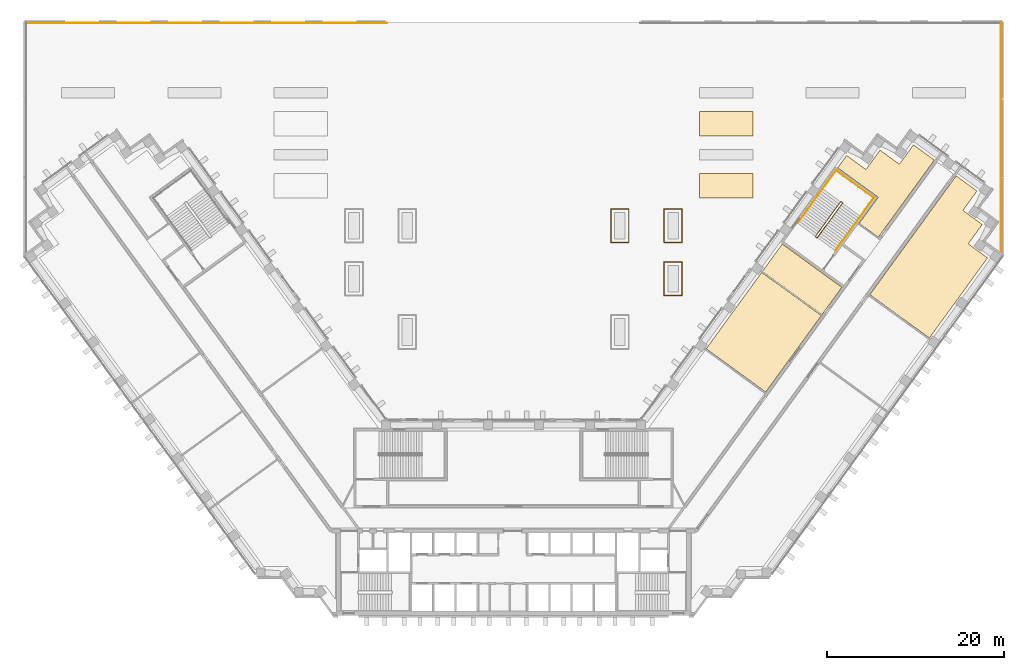
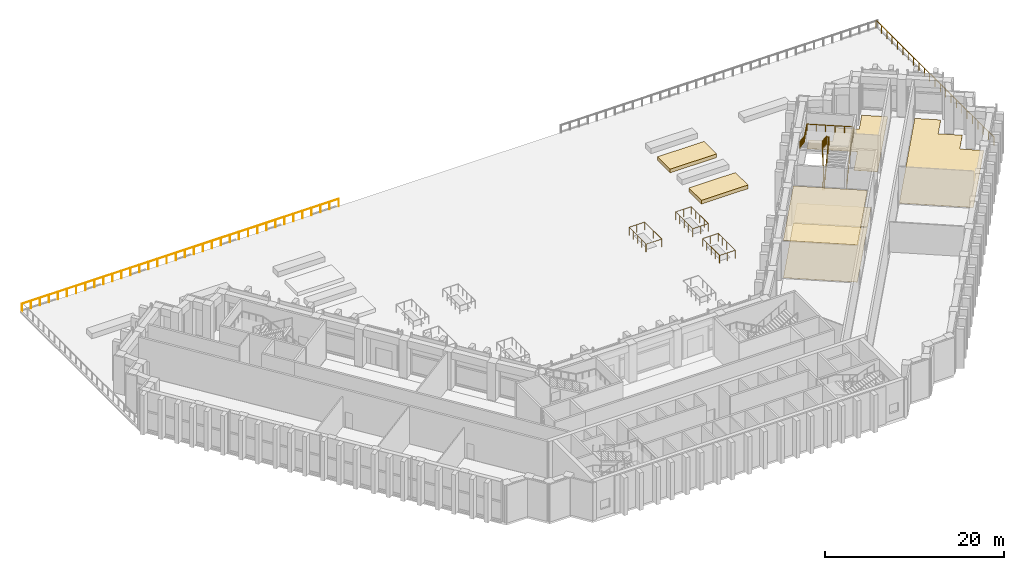
# One storey, part 24 of 25: 7 coverings, 7 railings.
"""IFC4 building model written with IfcOpenShell, lengths in metres."""

from ifc_helpers import new_model, si_unit, direction, frame, origin, origin_2d, place, context, subcontext, project, spatial, polyline, circle, outline, extrude, material, layer, layer_set, type_object, element, save


model = new_model("IFC4")

# Units and contexts
model_context = context("Model", 3, precision=1e-05, world=origin(), true_north=direction((0.0, 1.0)))
body_context = subcontext(model_context, "Body", "Model", "MODEL_VIEW")
ifc_project = project(units=[si_unit("LENGTHUNIT", "METRE"), si_unit("AREAUNIT", "SQUARE_METRE"), si_unit("VOLUMEUNIT", "CUBIC_METRE"), si_unit("PLANEANGLEUNIT", "RADIAN"), si_unit("MASSUNIT", "GRAM", prefix="KILO")], contexts=[model_context])

# Site, building, storey
site_placement = place(None, origin())
site = spatial("IfcSite", under=ifc_project, at=site_placement, CompositionType="ELEMENT")
building_placement = place(site_placement, origin())
building = spatial("IfcBuilding", under=site, at=building_placement, Name="Quipu Civic Tower", CompositionType="ELEMENT")
storey_placement = place(building_placement, frame((0.0, 0.0, 6.0)))
storey = spatial("IfcBuildingStorey", under=building, at=storey_placement, Name="L01", CompositionType="ELEMENT", Elevation=6.0)

# Coverings
ifc_material_1 = material(Name="Mineral fibre acoustic ceiling tile")
ifc_layer_1 = layer(ifc_material_1, 0.0400390625)
ifc_layer_set_1 = layer_set([ifc_layer_1], Name="Mineral fibre acoustic ceiling tile")
covering_type_1 = type_object("IfcCoveringType", Name="Acoustic ceiling tile 600 x 600", PredefinedType="CEILING", material=ifc_layer_set_1)
covering_1_placement = place(storey_placement, frame((0.0, 0.0, 5.06005859375)))
element("IfcCovering", 1, at=covering_1_placement, inside=storey, type_object=covering_type_1, Name="Acoustic ceiling tile 600 x 600", PredefinedType="CEILING", context=body_context, shape_type="SweptSolid", body=[
    extrude(outline(polyline([(21.73095703125, 19.10595703125), (27.99609375, 27.72998046875), (34.719970703125, 22.845947265625), (28.4541015625, 14.221923828125), (21.73095703125, 19.10595703125)])), origin(), (0.0, 0.0, 1.0), 0.0400390625),
])
ifc_material_2 = material(Name="Carpet tile on raised access floor")
ifc_layer_2 = layer(ifc_material_2, 0.02001953125)
ifc_layer_set_2 = layer_set([ifc_layer_2], Name="Carpet tile on raised access floor")
covering_type_2 = type_object("IfcCoveringType", Name="Carpet tile floor finish 20", PredefinedType="FLOORING", material=ifc_layer_set_2)
covering_2_placement = place(storey_placement, origin())
element("IfcCovering", 2, at=covering_2_placement, inside=storey, type_object=covering_type_2, Name="Carpet tile floor finish 20", PredefinedType="FLOORING", context=body_context, shape_type="SweptSolid", body=[
    extrude(outline(polyline([(28.0791015625, 27.843017578125), (30.31494140625, 30.922119140625), (37.0380859375, 26.0380859375), (34.802001953125, 22.958984375), (28.0791015625, 27.843017578125)])), origin(), (0.0, 0.0, 1.0), 0.02001953125),
])
covering_3_placement = place(storey_placement, origin())
element("IfcCovering", 3, at=covering_3_placement, inside=storey, type_object=covering_type_2, Name="Carpet tile floor finish 20", PredefinedType="FLOORING", context=body_context, shape_type="SweptSolid", body=[
    extrude(outline(polyline([(36.570068359375, 39.530029296875), (37.574951171875, 40.9130859375), (39.760009765625, 39.326904296875), (41.345947265625, 41.510986328125), (43.530029296875, 39.924072265625), (45.116943359375, 42.10791015625), (47.471923828125, 40.39794921875), (41.15087890625, 31.697021484375), (38.998046875, 33.260009765625), (41.139892578125, 36.208984375), (36.570068359375, 39.530029296875)])), origin(), (0.0, 0.0, 1.0), 0.02001953125),
])
covering_4_placement = place(storey_placement, origin())
element("IfcCovering", 4, at=covering_4_placement, inside=storey, type_object=covering_type_2, Name="Carpet tile floor finish 20", PredefinedType="FLOORING", context=body_context, shape_type="SweptSolid", body=[
    extrude(outline(polyline([(21.73095703125, 19.10595703125), (27.99609375, 27.72998046875), (34.719970703125, 22.845947265625), (28.4541015625, 14.221923828125), (21.73095703125, 19.10595703125)])), origin(), (0.0, 0.0, 1.0), 0.02001953125),
])
covering_5_placement = place(storey_placement, origin())
element("IfcCovering", 5, at=covering_5_placement, inside=storey, type_object=covering_type_2, Name="Carpet tile floor finish 20", PredefinedType="FLOORING", context=body_context, shape_type="SweptSolid", body=[
    extrude(outline(polyline([(40.195068359375, 25.208984375), (49.930908203125, 38.611083984375), (52.284912109375, 36.90087890625), (50.698974609375, 34.717041015625), (52.883056640625, 33.12890625), (51.297119140625, 30.945068359375), (53.47998046875, 29.35791015625), (46.91796875, 20.324951171875), (40.195068359375, 25.208984375)])), origin(), (0.0, 0.0, 1.0), 0.02001953125),
])

# Railings
ifc_material_3 = material(Name="Steel S275", Category="steel")
railing_type_1 = type_object("IfcRailingType", Name="Deck balustrade G2", PredefinedType="BALUSTRADE", material=ifc_material_3)
railing_1_placement = place(storey_placement, frame((54.994384765625, 29.742431640625, 0.0)))
element("IfcRailing", 6, at=railing_1_placement, inside=storey, type_object=railing_type_1, Name="Deck balustrade 1", PredefinedType="BALUSTRADE", context=body_context, shape_type="SweptSolid", body=[
    extrude(circle(Radius=0.02490234375, at=origin_2d()), frame((0.0, 0.0, 1.0751953125), z_axis=(0.0, 1.0, 0.0), x_axis=(-1.0, 0.0, 0.0)), (0.0, 0.0, 1.0), 26.257568359375),
    extrude(circle(Radius=0.02490234375, at=origin_2d()), origin(), (0.0, 0.0, 1.0), 1.050048828125),
    extrude(circle(Radius=0.02490234375, at=origin_2d()), frame((0.0, 1.193603515625, 0.0)), (0.0, 0.0, 1.0), 1.050048828125),
    extrude(circle(Radius=0.02490234375, at=origin_2d()), frame((0.0, 2.386962890625, 0.0)), (0.0, 0.0, 1.0), 1.050048828125),
    extrude(circle(Radius=0.02490234375, at=origin_2d()), frame((0.0, 3.58056640625, 0.0)), (0.0, 0.0, 1.0), 1.050048828125),
    extrude(circle(Radius=0.02490234375, at=origin_2d()), frame((0.0, 4.774169921875, 0.0)), (0.0, 0.0, 1.0), 1.050048828125),
    extrude(circle(Radius=0.02490234375, at=origin_2d()), frame((0.0, 5.967529296875, 0.0)), (0.0, 0.0, 1.0), 1.050048828125),
    extrude(circle(Radius=0.02490234375, at=origin_2d()), frame((0.0, 7.1611328125, 0.0)), (0.0, 0.0, 1.0), 1.050048828125),
    extrude(circle(Radius=0.02490234375, at=origin_2d()), frame((0.0, 8.354736328125, 0.0)), (0.0, 0.0, 1.0), 1.050048828125),
    extrude(circle(Radius=0.02490234375, at=origin_2d()), frame((0.0, 9.548095703125, 0.0)), (0.0, 0.0, 1.0), 1.050048828125),
    extrude(circle(Radius=0.02490234375, at=origin_2d()), frame((0.0, 10.74169921875, 0.0)), (0.0, 0.0, 1.0), 1.050048828125),
    extrude(circle(Radius=0.02490234375, at=origin_2d()), frame((0.0, 11.935302734375, 0.0)), (0.0, 0.0, 1.0), 1.050048828125),
    extrude(circle(Radius=0.02490234375, at=origin_2d()), frame((0.0, 13.12890625, 0.0)), (0.0, 0.0, 1.0), 1.050048828125),
    extrude(circle(Radius=0.02490234375, at=origin_2d()), frame((0.0, 14.322265625, 0.0)), (0.0, 0.0, 1.0), 1.050048828125),
    extrude(circle(Radius=0.02490234375, at=origin_2d()), frame((0.0, 15.515869140625, 0.0)), (0.0, 0.0, 1.0), 1.050048828125),
    extrude(circle(Radius=0.02490234375, at=origin_2d()), frame((0.0, 16.70947265625, 0.0)), (0.0, 0.0, 1.0), 1.050048828125),
    extrude(circle(Radius=0.02490234375, at=origin_2d()), frame((0.0, 17.90283203125, 0.0)), (0.0, 0.0, 1.0), 1.050048828125),
    extrude(circle(Radius=0.02490234375, at=origin_2d()), frame((0.0, 19.096435546875, 0.0)), (0.0, 0.0, 1.0), 1.050048828125),
    extrude(circle(Radius=0.02490234375, at=origin_2d()), frame((0.0, 20.2900390625, 0.0)), (0.0, 0.0, 1.0), 1.050048828125),
    extrude(circle(Radius=0.02490234375, at=origin_2d()), frame((0.0, 21.4833984375, 0.0)), (0.0, 0.0, 1.0), 1.050048828125),
    extrude(circle(Radius=0.02490234375, at=origin_2d()), frame((0.0, 22.677001953125, 0.0)), (0.0, 0.0, 1.0), 1.050048828125),
    extrude(circle(Radius=0.02490234375, at=origin_2d()), frame((0.0, 23.87060546875, 0.0)), (0.0, 0.0, 1.0), 1.050048828125),
    extrude(circle(Radius=0.02490234375, at=origin_2d()), frame((0.0, 25.06396484375, 0.0)), (0.0, 0.0, 1.0), 1.050048828125),
    extrude(circle(Radius=0.02490234375, at=origin_2d()), frame((0.0, 26.257568359375, 0.0)), (0.0, 0.0, 1.0), 1.050048828125),
])
railing_2_placement = place(storey_placement, frame((-14.300048828125, 55.8798828125, 0.0)))
element("IfcRailing", 7, at=railing_2_placement, inside=storey, type_object=railing_type_1, Name="Deck balustrade 3", PredefinedType="BALUSTRADE", context=body_context, shape_type="SweptSolid", body=[
    extrude(circle(Radius=0.02490234375, at=origin_2d()), frame((0.0, 0.0, 1.0751953125), z_axis=(-1.0, 0.0, 0.0), x_axis=(0.0, -1.0, 0.0)), (0.0, 0.0, 1.0), 40.814453125),
    extrude(circle(Radius=0.02490234375, at=origin_2d()), origin(), (0.0, 0.0, 1.0), 1.050048828125),
    extrude(circle(Radius=0.02490234375, at=origin_2d()), frame((-1.166015625, 0.0, 0.0)), (0.0, 0.0, 1.0), 1.050048828125),
    extrude(circle(Radius=0.02490234375, at=origin_2d()), frame((-2.332275390625, 0.0, 0.0)), (0.0, 0.0, 1.0), 1.050048828125),
    extrude(circle(Radius=0.02490234375, at=origin_2d()), frame((-3.498291015625, 0.0, 0.0)), (0.0, 0.0, 1.0), 1.050048828125),
    extrude(circle(Radius=0.02490234375, at=origin_2d()), frame((-4.66455078125, 0.0, 0.0)), (0.0, 0.0, 1.0), 1.050048828125),
    extrude(circle(Radius=0.02490234375, at=origin_2d()), frame((-5.83056640625, 0.0, 0.0)), (0.0, 0.0, 1.0), 1.050048828125),
    extrude(circle(Radius=0.02490234375, at=origin_2d()), frame((-6.996826171875, 0.0, 0.0)), (0.0, 0.0, 1.0), 1.050048828125),
    extrude(circle(Radius=0.02490234375, at=origin_2d()), frame((-8.162841796875, 0.0, 0.0)), (0.0, 0.0, 1.0), 1.050048828125),
    extrude(circle(Radius=0.02490234375, at=origin_2d()), frame((-9.3291015625, 0.0, 0.0)), (0.0, 0.0, 1.0), 1.050048828125),
    extrude(circle(Radius=0.02490234375, at=origin_2d()), frame((-10.4951171875, 0.0, 0.0)), (0.0, 0.0, 1.0), 1.050048828125),
    extrude(circle(Radius=0.02490234375, at=origin_2d()), frame((-11.661376953125, 0.0, 0.0)), (0.0, 0.0, 1.0), 1.050048828125),
    extrude(circle(Radius=0.02490234375, at=origin_2d()), frame((-12.827392578125, 0.0, 0.0)), (0.0, 0.0, 1.0), 1.050048828125),
    extrude(circle(Radius=0.02490234375, at=origin_2d()), frame((-13.993408203125, 0.0, 0.0)), (0.0, 0.0, 1.0), 1.050048828125),
    extrude(circle(Radius=0.02490234375, at=origin_2d()), frame((-15.15966796875, 0.0, 0.0)), (0.0, 0.0, 1.0), 1.050048828125),
    extrude(circle(Radius=0.02490234375, at=origin_2d()), frame((-16.32568359375, 0.0, 0.0)), (0.0, 0.0, 1.0), 1.050048828125),
    extrude(circle(Radius=0.02490234375, at=origin_2d()), frame((-17.491943359375, 0.0, 0.0)), (0.0, 0.0, 1.0), 1.050048828125),
    extrude(circle(Radius=0.02490234375, at=origin_2d()), frame((-18.657958984375, 0.0, 0.0)), (0.0, 0.0, 1.0), 1.050048828125),
    extrude(circle(Radius=0.02490234375, at=origin_2d()), frame((-19.82421875, 0.0, 0.0)), (0.0, 0.0, 1.0), 1.050048828125),
    extrude(circle(Radius=0.02490234375, at=origin_2d()), frame((-20.990234375, 0.0, 0.0)), (0.0, 0.0, 1.0), 1.050048828125),
    extrude(circle(Radius=0.02490234375, at=origin_2d()), frame((-22.156494140625, 0.0, 0.0)), (0.0, 0.0, 1.0), 1.050048828125),
    extrude(circle(Radius=0.02490234375, at=origin_2d()), frame((-23.322509765625, 0.0, 0.0)), (0.0, 0.0, 1.0), 1.050048828125),
    extrude(circle(Radius=0.02490234375, at=origin_2d()), frame((-24.48876953125, 0.0, 0.0)), (0.0, 0.0, 1.0), 1.050048828125),
    extrude(circle(Radius=0.02490234375, at=origin_2d()), frame((-25.65478515625, 0.0, 0.0)), (0.0, 0.0, 1.0), 1.050048828125),
    extrude(circle(Radius=0.02490234375, at=origin_2d()), frame((-26.821044921875, 0.0, 0.0)), (0.0, 0.0, 1.0), 1.050048828125),
    extrude(circle(Radius=0.02490234375, at=origin_2d()), frame((-27.987060546875, 0.0, 0.0)), (0.0, 0.0, 1.0), 1.050048828125),
    extrude(circle(Radius=0.02490234375, at=origin_2d()), frame((-29.153076171875, 0.0, 0.0)), (0.0, 0.0, 1.0), 1.050048828125),
    extrude(circle(Radius=0.02490234375, at=origin_2d()), frame((-30.3193359375, 0.0, 0.0)), (0.0, 0.0, 1.0), 1.050048828125),
    extrude(circle(Radius=0.02490234375, at=origin_2d()), frame((-31.4853515625, 0.0, 0.0)), (0.0, 0.0, 1.0), 1.050048828125),
    extrude(circle(Radius=0.02490234375, at=origin_2d()), frame((-32.651611328125, 0.0, 0.0)), (0.0, 0.0, 1.0), 1.050048828125),
    extrude(circle(Radius=0.02490234375, at=origin_2d()), frame((-33.817626953125, 0.0, 0.0)), (0.0, 0.0, 1.0), 1.050048828125),
    extrude(circle(Radius=0.02490234375, at=origin_2d()), frame((-34.98388671875, 0.0, 0.0)), (0.0, 0.0, 1.0), 1.050048828125),
    extrude(circle(Radius=0.02490234375, at=origin_2d()), frame((-36.14990234375, 0.0, 0.0)), (0.0, 0.0, 1.0), 1.050048828125),
    extrude(circle(Radius=0.02490234375, at=origin_2d()), frame((-37.316162109375, 0.0, 0.0)), (0.0, 0.0, 1.0), 1.050048828125),
    extrude(circle(Radius=0.02490234375, at=origin_2d()), frame((-38.482177734375, 0.0, 0.0)), (0.0, 0.0, 1.0), 1.050048828125),
    extrude(circle(Radius=0.02490234375, at=origin_2d()), frame((-39.6484375, 0.0, 0.0)), (0.0, 0.0, 1.0), 1.050048828125),
    extrude(circle(Radius=0.02490234375, at=origin_2d()), frame((-40.814453125, 0.0, 0.0)), (0.0, 0.0, 1.0), 1.050048828125),
])
railing_3_placement = place(storey_placement, frame((17.0, 25.10009765625, 0.0)))
element("IfcRailing", 8, at=railing_3_placement, inside=storey, type_object=railing_type_1, Name="Rooflight guard 4", PredefinedType="BALUSTRADE", context=body_context, shape_type="SweptSolid", body=[
    extrude(circle(Radius=0.02490234375, at=origin_2d()), frame((0.0, 0.0, 1.0751953125), z_axis=(1.0, 0.0, 0.0), x_axis=(0.0, 1.0, 0.0)), (0.0, 0.0, 1.0), 2.0),
    extrude(circle(Radius=0.02490234375, at=origin_2d()), frame((2.0, 0.0, 1.0751953125), z_axis=(0.0, 1.0, 0.0), x_axis=(-1.0, 0.0, 0.0)), (0.0, 0.0, 1.0), 3.7998046875),
    extrude(circle(Radius=0.02490234375, at=origin_2d()), frame((2.0, 3.7998046875, 1.0751953125), z_axis=(-1.0, 0.0, 0.0), x_axis=(0.0, -1.0, 0.0)), (0.0, 0.0, 1.0), 2.0),
    extrude(circle(Radius=0.02490234375, at=origin_2d()), frame((0.0, 3.7998046875, 1.0751953125), z_axis=(0.0, -1.0, 0.0), x_axis=(1.0, 0.0, 0.0)), (0.0, 0.0, 1.0), 3.72998046875),
    extrude(circle(Radius=0.02490234375, at=origin_2d()), origin(), (0.0, 0.0, 1.0), 1.050048828125),
    extrude(circle(Radius=0.02490234375, at=origin_2d()), frame((1.0, 0.0, 0.0)), (0.0, 0.0, 1.0), 1.050048828125),
    extrude(circle(Radius=0.02490234375, at=origin_2d()), frame((2.0, 0.0, 0.0)), (0.0, 0.0, 1.0), 1.050048828125),
    extrude(circle(Radius=0.02490234375, at=origin_2d()), frame((2.0, 0.949951171875, 0.0)), (0.0, 0.0, 1.0), 1.050048828125),
    extrude(circle(Radius=0.02490234375, at=origin_2d()), frame((2.0, 1.89990234375, 0.0)), (0.0, 0.0, 1.0), 1.050048828125),
    extrude(circle(Radius=0.02490234375, at=origin_2d()), frame((2.0, 2.849853515625, 0.0)), (0.0, 0.0, 1.0), 1.050048828125),
    extrude(circle(Radius=0.02490234375, at=origin_2d()), frame((2.0, 3.7998046875, 0.0)), (0.0, 0.0, 1.0), 1.050048828125),
    extrude(circle(Radius=0.02490234375, at=origin_2d()), frame((1.0, 3.7998046875, 0.0)), (0.0, 0.0, 1.0), 1.050048828125),
    extrude(circle(Radius=0.02490234375, at=origin_2d()), frame((0.0, 3.7998046875, 0.0)), (0.0, 0.0, 1.0), 1.050048828125),
    extrude(circle(Radius=0.02490234375, at=origin_2d()), frame((0.0, 2.8671875, 0.0)), (0.0, 0.0, 1.0), 1.050048828125),
    extrude(circle(Radius=0.02490234375, at=origin_2d()), frame((0.0, 1.934814453125, 0.0)), (0.0, 0.0, 1.0), 1.050048828125),
    extrude(circle(Radius=0.02490234375, at=origin_2d()), frame((0.0, 1.00244140625, 0.0)), (0.0, 0.0, 1.0), 1.050048828125),
    extrude(circle(Radius=0.02490234375, at=origin_2d()), frame((0.0, 0.06982421875, 0.0)), (0.0, 0.0, 1.0), 1.050048828125),
])
railing_4_placement = place(storey_placement, frame((11.0, 31.10009765625, 0.0)))
element("IfcRailing", 9, at=railing_4_placement, inside=storey, type_object=railing_type_1, Name="Rooflight guard 7", PredefinedType="BALUSTRADE", context=body_context, shape_type="SweptSolid", body=[
    extrude(circle(Radius=0.02490234375, at=origin_2d()), frame((0.0, 0.0, 1.0751953125), z_axis=(1.0, 0.0, 0.0), x_axis=(0.0, 1.0, 0.0)), (0.0, 0.0, 1.0), 2.0),
    extrude(circle(Radius=0.02490234375, at=origin_2d()), frame((2.0, 0.0, 1.0751953125), z_axis=(0.0, 1.0, 0.0), x_axis=(-1.0, 0.0, 0.0)), (0.0, 0.0, 1.0), 3.7998046875),
    extrude(circle(Radius=0.02490234375, at=origin_2d()), frame((2.0, 3.7998046875, 1.0751953125), z_axis=(-1.0, 0.0, 0.0), x_axis=(0.0, -1.0, 0.0)), (0.0, 0.0, 1.0), 2.0),
    extrude(circle(Radius=0.02490234375, at=origin_2d()), frame((0.0, 3.7998046875, 1.0751953125), z_axis=(0.0, -1.0, 0.0), x_axis=(1.0, 0.0, 0.0)), (0.0, 0.0, 1.0), 3.72998046875),
    extrude(circle(Radius=0.02490234375, at=origin_2d()), origin(), (0.0, 0.0, 1.0), 1.050048828125),
    extrude(circle(Radius=0.02490234375, at=origin_2d()), frame((1.0, 0.0, 0.0)), (0.0, 0.0, 1.0), 1.050048828125),
    extrude(circle(Radius=0.02490234375, at=origin_2d()), frame((2.0, 0.0, 0.0)), (0.0, 0.0, 1.0), 1.050048828125),
    extrude(circle(Radius=0.02490234375, at=origin_2d()), frame((2.0, 0.949951171875, 0.0)), (0.0, 0.0, 1.0), 1.050048828125),
    extrude(circle(Radius=0.02490234375, at=origin_2d()), frame((2.0, 1.89990234375, 0.0)), (0.0, 0.0, 1.0), 1.050048828125),
    extrude(circle(Radius=0.02490234375, at=origin_2d()), frame((2.0, 2.849853515625, 0.0)), (0.0, 0.0, 1.0), 1.050048828125),
    extrude(circle(Radius=0.02490234375, at=origin_2d()), frame((2.0, 3.7998046875, 0.0)), (0.0, 0.0, 1.0), 1.050048828125),
    extrude(circle(Radius=0.02490234375, at=origin_2d()), frame((1.0, 3.7998046875, 0.0)), (0.0, 0.0, 1.0), 1.050048828125),
    extrude(circle(Radius=0.02490234375, at=origin_2d()), frame((0.0, 3.7998046875, 0.0)), (0.0, 0.0, 1.0), 1.050048828125),
    extrude(circle(Radius=0.02490234375, at=origin_2d()), frame((0.0, 2.8671875, 0.0)), (0.0, 0.0, 1.0), 1.050048828125),
    extrude(circle(Radius=0.02490234375, at=origin_2d()), frame((0.0, 1.934814453125, 0.0)), (0.0, 0.0, 1.0), 1.050048828125),
    extrude(circle(Radius=0.02490234375, at=origin_2d()), frame((0.0, 1.00244140625, 0.0)), (0.0, 0.0, 1.0), 1.050048828125),
    extrude(circle(Radius=0.02490234375, at=origin_2d()), frame((0.0, 0.06982421875, 0.0)), (0.0, 0.0, 1.0), 1.050048828125),
])
railing_5_placement = place(storey_placement, frame((17.0, 31.10009765625, 0.0)))
element("IfcRailing", 10, at=railing_5_placement, inside=storey, type_object=railing_type_1, Name="Rooflight guard 8", PredefinedType="BALUSTRADE", context=body_context, shape_type="SweptSolid", body=[
    extrude(circle(Radius=0.02490234375, at=origin_2d()), frame((0.0, 0.0, 1.0751953125), z_axis=(1.0, 0.0, 0.0), x_axis=(0.0, 1.0, 0.0)), (0.0, 0.0, 1.0), 2.0),
    extrude(circle(Radius=0.02490234375, at=origin_2d()), frame((2.0, 0.0, 1.0751953125), z_axis=(0.0, 1.0, 0.0), x_axis=(-1.0, 0.0, 0.0)), (0.0, 0.0, 1.0), 3.7998046875),
    extrude(circle(Radius=0.02490234375, at=origin_2d()), frame((2.0, 3.7998046875, 1.0751953125), z_axis=(-1.0, 0.0, 0.0), x_axis=(0.0, -1.0, 0.0)), (0.0, 0.0, 1.0), 2.0),
    extrude(circle(Radius=0.02490234375, at=origin_2d()), frame((0.0, 3.7998046875, 1.0751953125), z_axis=(0.0, -1.0, 0.0), x_axis=(1.0, 0.0, 0.0)), (0.0, 0.0, 1.0), 3.72998046875),
    extrude(circle(Radius=0.02490234375, at=origin_2d()), origin(), (0.0, 0.0, 1.0), 1.050048828125),
    extrude(circle(Radius=0.02490234375, at=origin_2d()), frame((1.0, 0.0, 0.0)), (0.0, 0.0, 1.0), 1.050048828125),
    extrude(circle(Radius=0.02490234375, at=origin_2d()), frame((2.0, 0.0, 0.0)), (0.0, 0.0, 1.0), 1.050048828125),
    extrude(circle(Radius=0.02490234375, at=origin_2d()), frame((2.0, 0.949951171875, 0.0)), (0.0, 0.0, 1.0), 1.050048828125),
    extrude(circle(Radius=0.02490234375, at=origin_2d()), frame((2.0, 1.89990234375, 0.0)), (0.0, 0.0, 1.0), 1.050048828125),
    extrude(circle(Radius=0.02490234375, at=origin_2d()), frame((2.0, 2.849853515625, 0.0)), (0.0, 0.0, 1.0), 1.050048828125),
    extrude(circle(Radius=0.02490234375, at=origin_2d()), frame((2.0, 3.7998046875, 0.0)), (0.0, 0.0, 1.0), 1.050048828125),
    extrude(circle(Radius=0.02490234375, at=origin_2d()), frame((1.0, 3.7998046875, 0.0)), (0.0, 0.0, 1.0), 1.050048828125),
    extrude(circle(Radius=0.02490234375, at=origin_2d()), frame((0.0, 3.7998046875, 0.0)), (0.0, 0.0, 1.0), 1.050048828125),
    extrude(circle(Radius=0.02490234375, at=origin_2d()), frame((0.0, 2.8671875, 0.0)), (0.0, 0.0, 1.0), 1.050048828125),
    extrude(circle(Radius=0.02490234375, at=origin_2d()), frame((0.0, 1.934814453125, 0.0)), (0.0, 0.0, 1.0), 1.050048828125),
    extrude(circle(Radius=0.02490234375, at=origin_2d()), frame((0.0, 1.00244140625, 0.0)), (0.0, 0.0, 1.0), 1.050048828125),
    extrude(circle(Radius=0.02490234375, at=origin_2d()), frame((0.0, 0.06982421875, 0.0)), (0.0, 0.0, 1.0), 1.050048828125),
])

# Coverings
ifc_material_4 = material(Name="Planting soil on drainage board")
ifc_layer_3 = layer(ifc_material_4, 0.5)
ifc_layer_set_3 = layer_set([ifc_layer_3], Name="Planting soil on drainage board")
covering_type_3 = type_object("IfcCoveringType", Name="Planted deck bed build-up", PredefinedType="FLOORING", material=ifc_layer_set_3)
covering_6_placement = place(storey_placement, origin())
element("IfcCovering", 11, at=covering_6_placement, inside=storey, type_object=covering_type_3, Name="Garden bed 3", PredefinedType="FLOORING", context=body_context, shape_type="SweptSolid", body=[
    extrude(outline(polyline([(21.0, 38.89990234375), (27.0, 38.89990234375), (27.0, 36.10009765625), (21.0, 36.10009765625), (21.0, 38.89990234375)])), origin(), (0.0, 0.0, 1.0), 0.5),
])
covering_7_placement = place(storey_placement, origin())
element("IfcCovering", 12, at=covering_7_placement, inside=storey, type_object=covering_type_3, Name="Garden bed 4", PredefinedType="FLOORING", context=body_context, shape_type="SweptSolid", body=[
    extrude(outline(polyline([(21.0, 45.89990234375), (27.0, 45.89990234375), (27.0, 43.10009765625), (21.0, 43.10009765625), (21.0, 45.89990234375)])), origin(), (0.0, 0.0, 1.0), 0.5),
])

# Railings
ifc_material_5 = material(Name="Stainless steel", Category="steel")
railing_type_2 = type_object("IfcRailingType", Name="Stair guard 1100", PredefinedType="GUARDRAIL", material=ifc_material_5)
railing_6_placement = place(storey_placement, frame((34.28125, 31.650390625, 0.161865234375)))
element("IfcRailing", 13, at=railing_6_placement, inside=storey, type_object=railing_type_2, Name="Stair 7 guard", PredefinedType="GUARDRAIL", context=body_context, shape_type="SweptSolid", body=[
    extrude(circle(Radius=0.02392578125, at=origin_2d()), frame((0.0, 0.0, 1.076171875), z_axis=(0.517357435691, 0.712105172387, 0.474602472807), x_axis=(-0.809026317077, 0.587772420479, 0.0)), (0.0, 0.0, 1.0), 5.453369140625),
    extrude(circle(Radius=0.02392578125, at=origin_2d()), frame((2.8212890625, 3.88330078125, 3.6640625), z_axis=(-0.155430446612, 0.987846838465, 0.0), x_axis=(-0.987846838465, -0.155430446612, 0.0)), (0.0, 0.0, 1.0), 0.07080078125),
    extrude(circle(Radius=0.02392578125, at=origin_2d()), frame((2.810302734375, 3.953125, 3.6640625), z_axis=(-0.809649071907, 0.586914287065, 0.0), x_axis=(-0.586914287065, -0.809649071907, 0.0)), (0.0, 0.0, 1.0), 0.150146484375),
    extrude(circle(Radius=0.02392578125, at=origin_2d()), frame((2.688720703125, 4.041259765625, 3.6640625), z_axis=(-0.395324129048, -0.062201348976, 0.916433208247), x_axis=(0.155430446612, -0.987846838465, 0.0)), (0.0, 0.0, 1.0), 0.176513671875),
    extrude(circle(Radius=0.02392578125, at=origin_2d()), frame((2.618896484375, 4.0302734375, 3.826171875), z_axis=(-0.517357435691, -0.712105172387, 0.474602472807), x_axis=(0.809026317077, -0.587772420479, 0.0)), (0.0, 0.0, 1.0), 5.453369140625),
    extrude(circle(Radius=0.02392578125, at=origin_2d()), frame((-0.202392578125, 0.14697265625, 6.4140625), z_axis=(0.024042081317, -0.028699680096, -0.999298907579), x_axis=(0.766567769536, 0.642163417448, 0.0)), (0.0, 0.0, 1.0), 5.50390625),
    extrude(circle(Radius=0.02392578125, at=origin_2d()), frame((-0.070068359375, -0.010986328125, 0.9140625), z_axis=(-0.809087927272, 0.587687609145, 0.0), x_axis=(-0.587687609145, -0.809087927272, 0.0)), (0.0, 0.0, 1.0), 0.14990234375),
    extrude(circle(Radius=0.02099609375, at=origin_2d()), origin(), (0.0, 0.0, 1.0), 1.052001953125),
    extrude(circle(Radius=0.02099609375, at=origin_2d()), frame((0.564208984375, 0.776611328125, 0.517578125)), (0.0, 0.0, 1.0), 1.052001953125),
    extrude(circle(Radius=0.02099609375, at=origin_2d()), frame((1.12841796875, 1.55322265625, 1.03515625)), (0.0, 0.0, 1.0), 1.052001953125),
    extrude(circle(Radius=0.02099609375, at=origin_2d()), frame((1.69287109375, 2.330078125, 1.552978515625)), (0.0, 0.0, 1.0), 1.052001953125),
    extrude(circle(Radius=0.02099609375, at=origin_2d()), frame((2.257080078125, 3.106689453125, 2.070556640625)), (0.0, 0.0, 1.0), 1.052001953125),
    extrude(circle(Radius=0.02099609375, at=origin_2d()), frame((2.8212890625, 3.88330078125, 2.588134765625)), (0.0, 0.0, 1.0), 1.052001953125),
    extrude(circle(Radius=0.02099609375, at=origin_2d()), frame((2.810302734375, 3.953125, 2.588134765625)), (0.0, 0.0, 1.0), 1.052001953125),
    extrude(circle(Radius=0.02099609375, at=origin_2d()), frame((2.688720703125, 4.041259765625, 2.588134765625)), (0.0, 0.0, 1.0), 1.052001953125),
    extrude(circle(Radius=0.02099609375, at=origin_2d()), frame((2.618896484375, 4.0302734375, 2.75)), (0.0, 0.0, 1.0), 1.052001953125),
    extrude(circle(Radius=0.02099609375, at=origin_2d()), frame((2.0546875, 3.253662109375, 3.267578125)), (0.0, 0.0, 1.0), 1.052001953125),
    extrude(circle(Radius=0.02099609375, at=origin_2d()), frame((1.490478515625, 2.47705078125, 3.78515625)), (0.0, 0.0, 1.0), 1.052001953125),
    extrude(circle(Radius=0.02099609375, at=origin_2d()), frame((0.926025390625, 1.7001953125, 4.302978515625)), (0.0, 0.0, 1.0), 1.052001953125),
    extrude(circle(Radius=0.02099609375, at=origin_2d()), frame((0.36181640625, 0.923583984375, 4.820556640625)), (0.0, 0.0, 1.0), 1.052001953125),
    extrude(circle(Radius=0.02099609375, at=origin_2d()), frame((-0.202392578125, 0.14697265625, 5.338134765625)), (0.0, 0.0, 1.0), 1.052001953125),
    extrude(circle(Radius=0.02099609375, at=origin_2d()), frame((-0.176025390625, 0.115478515625, 4.238037109375)), (0.0, 0.0, 1.0), 1.052001953125),
    extrude(circle(Radius=0.02099609375, at=origin_2d()), frame((-0.1494140625, 0.083740234375, 3.13818359375)), (0.0, 0.0, 1.0), 1.052001953125),
    extrude(circle(Radius=0.02099609375, at=origin_2d()), frame((-0.123046875, 0.05224609375, 2.0380859375)), (0.0, 0.0, 1.0), 1.052001953125),
    extrude(circle(Radius=0.02099609375, at=origin_2d()), frame((-0.096435546875, 0.0205078125, 0.938232421875)), (0.0, 0.0, 1.0), 1.052001953125),
    extrude(circle(Radius=0.02099609375, at=origin_2d()), frame((-0.070068359375, -0.010986328125, -0.161865234375)), (0.0, 0.0, 1.0), 1.052001953125),
    extrude(circle(Radius=0.02099609375, at=origin_2d()), frame((-0.19140625, 0.0771484375, -0.161865234375)), (0.0, 0.0, 1.0), 1.052001953125),
])
ifc_material_6 = material(Name="Stainless steel", Category="steel")
railing_type_3 = type_object("IfcRailingType", Name="Stair handrail", PredefinedType="HANDRAIL", material=ifc_material_6)
railing_7_placement = place(storey_placement, frame((36.3037109375, 30.180908203125, 0.161865234375)))
element("IfcRailing", 14, at=railing_7_placement, inside=storey, type_object=railing_type_3, Name="Stair 7 handrail", PredefinedType="HANDRAIL", context=body_context, shape_type="SweptSolid", body=[
    extrude(circle(Radius=0.02392578125, at=origin_2d()), frame((0.0, 0.0, 0.8759765625), z_axis=(0.517357435691, 0.712105172387, 0.474602472807), x_axis=(-0.809026317077, 0.587772420479, 0.0)), (0.0, 0.0, 1.0), 5.453369140625),
    extrude(circle(Radius=0.02392578125, at=origin_2d()), frame((2.8212890625, 3.88330078125, 3.4638671875), z_axis=(0.587767432704, 0.809029940764, 0.0), x_axis=(-0.809029940764, 0.587767432704, 0.0)), (0.0, 0.0, 1.0), 2.550048828125),
    extrude(circle(Radius=0.02392578125, at=origin_2d()), frame((4.320068359375, 5.9462890625, 3.4638671875), z_axis=(-0.809009483706, 0.587795589702, 0.0), x_axis=(-0.587795589702, -0.809009483706, 0.0)), (0.0, 0.0, 1.0), 5.25),
    extrude(circle(Radius=0.02392578125, at=origin_2d()), frame((0.07275390625, 9.0322265625, 3.4638671875), z_axis=(-0.586586817691, -0.807404888335, 0.0633502297), x_axis=(0.809029940764, -0.587767432704, 0.0)), (0.0, 0.0, 1.0), 2.55517578125),
    extrude(circle(Radius=0.02392578125, at=origin_2d()), frame((-1.426025390625, 6.96923828125, 3.6259765625), z_axis=(-0.517357435691, -0.712105172387, 0.474602472807), x_axis=(0.809026317077, -0.587772420479, 0.0)), (0.0, 0.0, 1.0), 5.453369140625),
    extrude(circle(Radius=0.02099609375, at=origin_2d()), origin(), (0.0, 0.0, 1.0), 0.851806640625),
    extrude(circle(Radius=0.02099609375, at=origin_2d()), frame((0.564208984375, 0.776611328125, 0.517578125)), (0.0, 0.0, 1.0), 0.851806640625),
    extrude(circle(Radius=0.02099609375, at=origin_2d()), frame((1.12841796875, 1.55322265625, 1.03515625)), (0.0, 0.0, 1.0), 0.851806640625),
    extrude(circle(Radius=0.02099609375, at=origin_2d()), frame((1.69287109375, 2.330078125, 1.552978515625)), (0.0, 0.0, 1.0), 0.851806640625),
    extrude(circle(Radius=0.02099609375, at=origin_2d()), frame((2.257080078125, 3.106689453125, 2.070556640625)), (0.0, 0.0, 1.0), 0.851806640625),
    extrude(circle(Radius=0.02099609375, at=origin_2d()), frame((2.8212890625, 3.88330078125, 2.588134765625)), (0.0, 0.0, 1.0), 0.851806640625),
    extrude(circle(Radius=0.02099609375, at=origin_2d()), frame((3.32080078125, 4.571044921875, 2.588134765625)), (0.0, 0.0, 1.0), 0.851806640625),
    extrude(circle(Radius=0.02099609375, at=origin_2d()), frame((3.820556640625, 5.258544921875, 2.588134765625)), (0.0, 0.0, 1.0), 0.851806640625),
    extrude(circle(Radius=0.02099609375, at=origin_2d()), frame((4.320068359375, 5.9462890625, 2.588134765625)), (0.0, 0.0, 1.0), 0.851806640625),
    extrude(circle(Radius=0.02099609375, at=origin_2d()), frame((3.470703125, 6.5634765625, 2.588134765625)), (0.0, 0.0, 1.0), 0.851806640625),
    extrude(circle(Radius=0.02099609375, at=origin_2d()), frame((2.62109375, 7.1806640625, 2.588134765625)), (0.0, 0.0, 1.0), 0.851806640625),
    extrude(circle(Radius=0.02099609375, at=origin_2d()), frame((1.771728515625, 7.7978515625, 2.588134765625)), (0.0, 0.0, 1.0), 0.851806640625),
    extrude(circle(Radius=0.02099609375, at=origin_2d()), frame((0.922119140625, 8.4150390625, 2.588134765625)), (0.0, 0.0, 1.0), 0.851806640625),
    extrude(circle(Radius=0.02099609375, at=origin_2d()), frame((0.07275390625, 9.0322265625, 2.588134765625)), (0.0, 0.0, 1.0), 0.851806640625),
    extrude(circle(Radius=0.02099609375, at=origin_2d()), frame((-0.4267578125, 8.344482421875, 2.64208984375)), (0.0, 0.0, 1.0), 0.851806640625),
    extrude(circle(Radius=0.02099609375, at=origin_2d()), frame((-0.926513671875, 7.656982421875, 2.696044921875)), (0.0, 0.0, 1.0), 0.851806640625),
    extrude(circle(Radius=0.02099609375, at=origin_2d()), frame((-1.426025390625, 6.96923828125, 2.75)), (0.0, 0.0, 1.0), 0.851806640625),
    extrude(circle(Radius=0.02099609375, at=origin_2d()), frame((-1.990234375, 6.192626953125, 3.267578125)), (0.0, 0.0, 1.0), 0.851806640625),
    extrude(circle(Radius=0.02099609375, at=origin_2d()), frame((-2.554443359375, 5.416015625, 3.78515625)), (0.0, 0.0, 1.0), 0.851806640625),
    extrude(circle(Radius=0.02099609375, at=origin_2d()), frame((-3.118896484375, 4.63916015625, 4.302978515625)), (0.0, 0.0, 1.0), 0.851806640625),
    extrude(circle(Radius=0.02099609375, at=origin_2d()), frame((-3.68310546875, 3.862548828125, 4.820556640625)), (0.0, 0.0, 1.0), 0.851806640625),
    extrude(circle(Radius=0.02099609375, at=origin_2d()), frame((-4.247314453125, 3.0859375, 5.338134765625)), (0.0, 0.0, 1.0), 0.851806640625),
])

save(model, "model.ifc")
